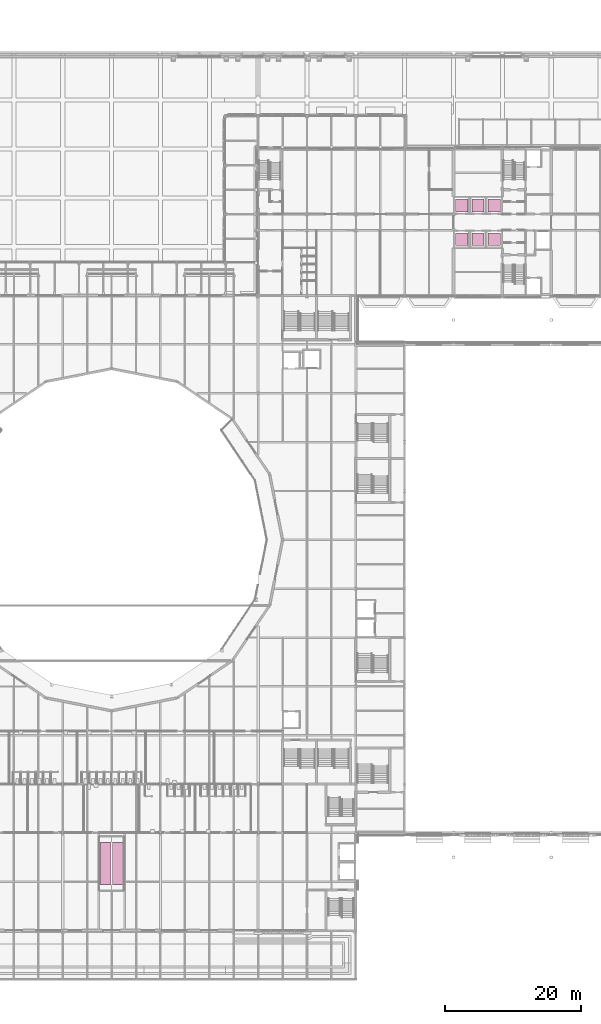
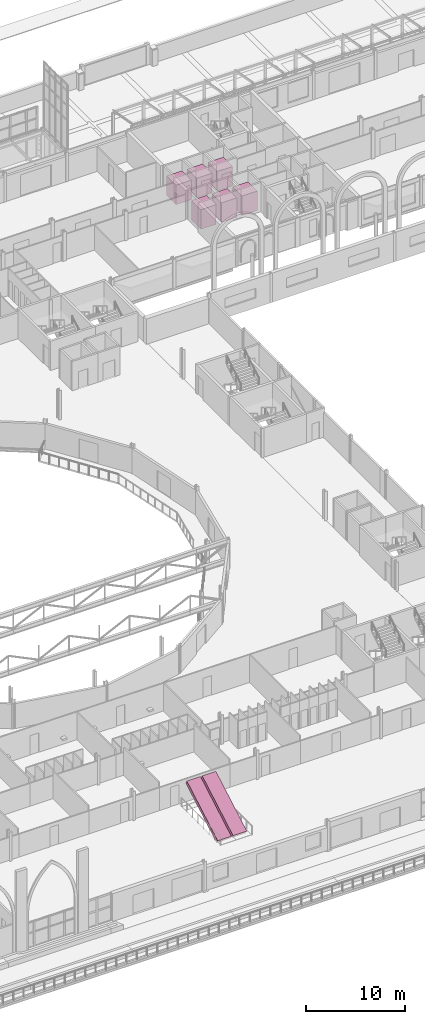
# One storey, part 143 of 143: 8 transport elements.
"""IFC4 building model written with IfcOpenShell, lengths in metres."""

from ifc_helpers import new_model, si_unit, direction, frame, origin, origin_2d, place, context, subcontext, project, spatial, polyline, rectangle, outline, extrude, material, type_object, element, save


model = new_model("IFC4")

# Units and contexts
model_context = context("Model", 3, precision=1e-05, world=origin(), true_north=direction((0.0, 1.0)))
body_context = subcontext(model_context, "Body", "Model", "MODEL_VIEW")
ifc_project = project(units=[si_unit("LENGTHUNIT", "METRE"), si_unit("AREAUNIT", "SQUARE_METRE"), si_unit("VOLUMEUNIT", "CUBIC_METRE"), si_unit("PLANEANGLEUNIT", "RADIAN"), si_unit("MASSUNIT", "GRAM", prefix="KILO")], contexts=[model_context])

# Site, building, storey
site_placement = place(None, origin())
site = spatial("IfcSite", under=ifc_project, at=site_placement, CompositionType="ELEMENT")
building_placement = place(site_placement, origin())
building = spatial("IfcBuilding", under=site, at=building_placement, Name="Kupolbacken Congress Centre", CompositionType="ELEMENT")
storey_placement = place(building_placement, frame((0.0, 0.0, 7.199951171875)))
storey = spatial("IfcBuildingStorey", under=building, at=storey_placement, Name="L02", CompositionType="ELEMENT", Elevation=7.199951171875)

# Transport elements
ifc_material_1 = material(Name="Steel S355", Category="steel")
transport_element_type_1 = type_object("IfcTransportElementType", Name="ES1 escalator 1000", PredefinedType="ESCALATOR", material=ifc_material_1)
transport_element_1_placement = place(storey_placement, frame((41.5, 35.582275390625, 0.0), z_axis=(0.0, -0.500012057535, 0.866018442252), x_axis=(1.0, 0.0, 0.0)))
element("IfcTransportElement", 1, at=transport_element_1_placement, inside=storey, type_object=transport_element_type_1, Name="Escalator ES5", PredefinedType="ESCALATOR", context=body_context, shape_type="SweptSolid", body=[
    extrude(outline(polyline([(0.0, 0.0), (1.60009765625, 0.0), (1.60009765625, 7.200021683474845), (0.0, 7.200021683474845), (0.0, 0.0)])), origin(), (0.0, 0.0, -1.0), 0.449951171875),
])
transport_element_2_placement = place(storey_placement, frame((43.300048828125, 35.582275390625, 0.0), z_axis=(0.0, -0.500012057535, 0.866018442252), x_axis=(1.0, 0.0, 0.0)))
element("IfcTransportElement", 2, at=transport_element_2_placement, inside=storey, type_object=transport_element_type_1, Name="Escalator ES6", PredefinedType="ESCALATOR", context=body_context, shape_type="SweptSolid", body=[
    extrude(outline(polyline([(0.0, 0.0), (1.599853515625, 0.0), (1.599853515625, 7.200021683474845), (0.0, 7.200021683474845), (0.0, 0.0)])), origin(), (0.0, 0.0, -1.0), 0.449951171875),
])
ifc_material_2 = material(Name="Stainless steel lift car", Category="steel")
transport_element_type_2 = type_object("IfcTransportElementType", Name="LC2 passenger lift car 1800 x 1900", PredefinedType="ELEVATOR", material=ifc_material_2)
for number, where, z_axis, x_axis, name in (
    (3, (94.800048828125, 130.699951171875, 0.0), (0.0, 0.0, 1.0), (1.0, 0.0, 0.0), "Lift car LP9"),
    (4, (97.199951171875, 130.699951171875, 0.0), (0.0, 0.0, 1.0), (1.0, 0.0, 0.0), "Lift car LP10"),
    (5, (99.60009765625, 130.699951171875, 0.0), (0.0, 0.0, 1.0), (1.0, 0.0, 0.0), "Lift car LP11"),
    (6, (94.800048828125, 135.699951171875, 0.0), (0.0, 0.0, 1.0), (1.0, 0.0, 0.0), "Lift car LP12"),
    (7, (97.199951171875, 135.699951171875, 0.0), (0.0, 0.0, 1.0), (1.0, 0.0, 0.0), "Lift car LP13"),
    (8, (99.60009765625, 135.699951171875, 0.0), (0.0, 0.0, 1.0), (1.0, 0.0, 0.0), "Lift car LP14"),
):
    element("IfcTransportElement", number, at=place(storey_placement, frame(where, z_axis=z_axis, x_axis=x_axis)), inside=storey, type_object=transport_element_type_2, Name=name, PredefinedType="ELEVATOR", context=body_context, shape_type="SweptSolid", body=[
        extrude(rectangle(XDim=1.800048828125, YDim=1.89990234375, at=origin_2d()), origin(), (0.0, 0.0, 1.0), 2.39990234375),
    ])

save(model, "model.ifc")
